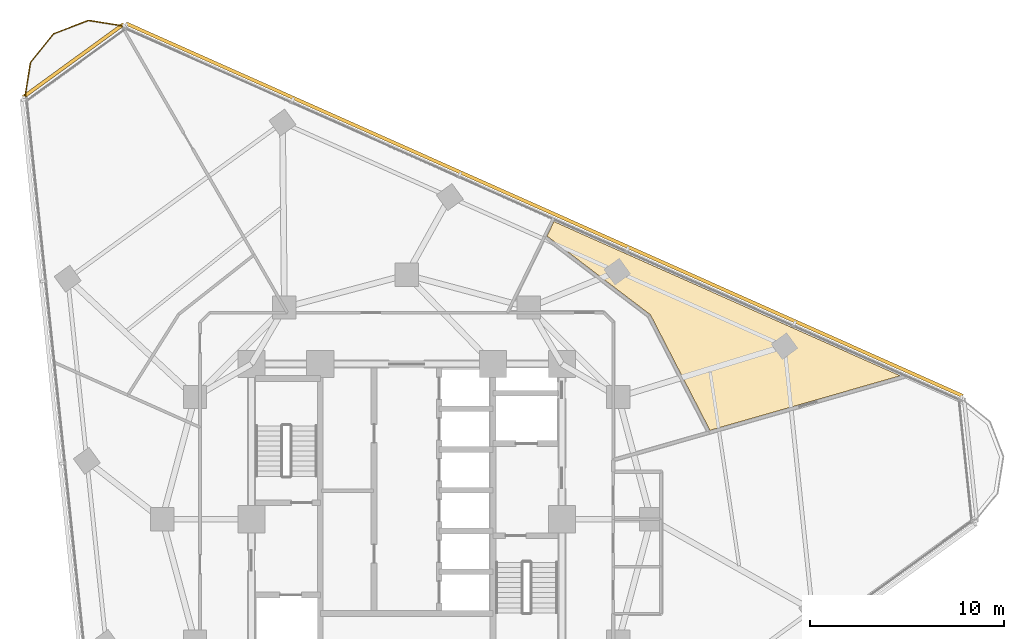
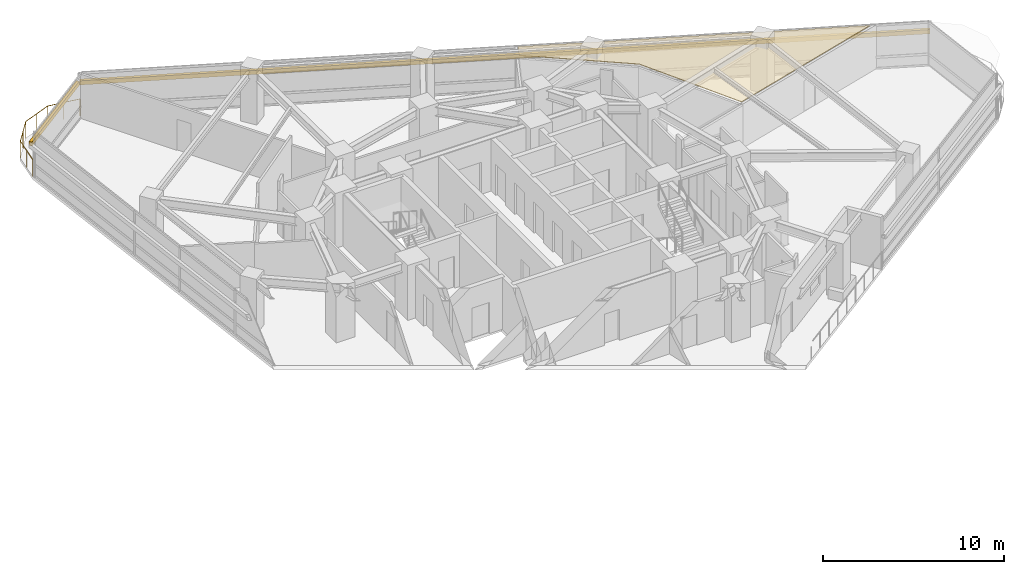
# One storey, part 14 of 14: 2 shading devices, 1 covering, 1 railing.
"""IFC4 building model written with IfcOpenShell, lengths in metres."""

import ifcopenshell
import ifcopenshell.guid

model = None  # the IFC model being written
_history = None  # IfcOwnerHistory: only IFC2X3 demands one
_inside = {}  # id of a spatial element -> (the spatial element, [elements in it])
_under = {}  # id of a project, library or spatial element -> (it, [spatial elements below it])
_declared = {}  # id of a project -> (the project, [libraries it declares])
_typed = {}  # id of a type object -> (the type object, [elements of that type])
_made_of = {}  # id of a material, layer set ... -> (it, [elements and type objects made of it])


def new_model(schema):
    """Start an empty IFC model of exactly this schema.

    Asked for "IFC4X3", IfcOpenShell would pick the latest addendum, in which some entities
    have other attributes; the version numbers below select the first issue.
    IFC2X3 requires an IfcOwnerHistory on every rooted entity: one is made here for all.
    """
    global model, _history
    if schema == "IFC4X3":
        model = ifcopenshell.file(schema_version=(4, 3, 0, 0))
    else:
        model = ifcopenshell.file(schema=schema)
    _inside.clear()
    _under.clear()
    _declared.clear()
    _typed.clear()
    _made_of.clear()
    _history = None
    if model.schema == "IFC2X3":
        org = make("IfcOrganization", Name="unknown")
        user = make(
            "IfcPersonAndOrganization",
            ThePerson=make("IfcPerson", FamilyName="unknown"),
            TheOrganization=org,
        )
        app = make(
            "IfcApplication",
            ApplicationDeveloper=org,
            Version="unknown",
            ApplicationFullName="unknown",
            ApplicationIdentifier="unknown",
        )
        _history = make(
            "IfcOwnerHistory",
            OwningUser=user,
            OwningApplication=app,
            ChangeAction="ADDED",
            CreationDate=0,
        )
    return model


def make(cls, **values):
    """One entity of the class cls with the attributes given. An attribute that is None is left unset."""
    return model.create_entity(
        cls, **{name: value for name, value in values.items() if value is not None}
    )


def rooted(cls, **values):
    """An entity with a GlobalId (a new one), such as an element, a storey or a relation."""
    return make(cls, GlobalId=ifcopenshell.guid.new(), OwnerHistory=_history, **values)


def si_unit(unit_type, name, prefix=None):
    """IfcSIUnit, for example si_unit("LENGTHUNIT", "METRE", prefix="MILLI")."""
    return make("IfcSIUnit", UnitType=unit_type, Prefix=prefix, Name=name)


def assignment(units):
    """IfcUnitAssignment: the units of a project."""
    return None if units is None else make("IfcUnitAssignment", Units=units)


def point(xyz):
    """IfcCartesianPoint."""
    return None if xyz is None else make("IfcCartesianPoint", Coordinates=xyz)


def direction(xyz):
    """IfcDirection."""
    return None if xyz is None else make("IfcDirection", DirectionRatios=xyz)


def frame(location, z_axis=None, x_axis=None):
    """IfcAxis2Placement3D, a coordinate frame: its origin and axes. An axis left out is left unset."""
    return make(
        "IfcAxis2Placement3D",
        Location=point(location),
        Axis=direction(z_axis),
        RefDirection=direction(x_axis),
    )


def frame_2d(location, x_axis=None):
    """IfcAxis2Placement2D, a coordinate frame in the plane: its origin and x axis."""
    return make(
        "IfcAxis2Placement2D", Location=point(location), RefDirection=direction(x_axis)
    )


def origin():
    """The frame at (0, 0, 0) with its axes left unset."""
    return frame((0.0, 0.0, 0.0))


def origin_2d():
    """The frame at (0, 0) in the plane with its x axis left unset."""
    return frame_2d((0.0, 0.0))


def place(relative_to, where):
    """IfcLocalPlacement: puts the frame where relative to a parent placement (None: the world)."""
    return make(
        "IfcLocalPlacement", PlacementRelTo=relative_to, RelativePlacement=where
    )


def context(
    kind, dimensions, precision=None, world=None, true_north=None, identifier=None
):
    """IfcGeometricRepresentationContext, for example the 3D "Model" context."""
    return make(
        "IfcGeometricRepresentationContext",
        ContextIdentifier=identifier,
        ContextType=kind,
        CoordinateSpaceDimension=dimensions,
        Precision=precision,
        WorldCoordinateSystem=world,
        TrueNorth=true_north,
    )


def subcontext(parent, identifier, kind, view, scale=None):
    """IfcGeometricRepresentationSubContext, for example "Body" below "Model"."""
    return make(
        "IfcGeometricRepresentationSubContext",
        ContextIdentifier=identifier,
        ContextType=kind,
        ParentContext=parent,
        TargetScale=scale,
        TargetView=view,
    )


def project(units=None, contexts=None):
    """IfcProject with its units and contexts."""
    return rooted(
        "IfcProject",
        Name="project",
        RepresentationContexts=contexts,
        UnitsInContext=assignment(units),
    )


def spatial(cls, under=None, at=None, **own):
    """A site, building, storey or space (cls), placed at a placement, below another one or the project."""
    s = rooted(cls, ObjectPlacement=at, **own)
    if under is not None:
        _under.setdefault(under.id(), (under, []))[1].append(s)
    return s


def polyline(points):
    """IfcPolyline through the points."""
    return make("IfcPolyline", Points=[point(p) for p in points])


def profile(cls, at=None, kind="AREA", **sizes):
    """A parametric profile (cls). Its sizes go by their IFC names, for example OverallWidth=200.0."""
    return make(cls, ProfileType=kind, Position=at, **sizes)


def rectangle(**sizes):
    """IfcRectangleProfileDef."""
    return profile("IfcRectangleProfileDef", **sizes)


def circle(**sizes):
    """IfcCircleProfileDef."""
    return profile("IfcCircleProfileDef", **sizes)


def outline(outer, holes=None, kind="AREA"):
    """IfcArbitraryClosedProfileDef: a profile drawn as a closed curve; with holes, ...WithVoids."""
    if holes is None:
        return make("IfcArbitraryClosedProfileDef", ProfileType=kind, OuterCurve=outer)
    return make(
        "IfcArbitraryProfileDefWithVoids",
        ProfileType=kind,
        OuterCurve=outer,
        InnerCurves=holes,
    )


def extrude(swept, where, along, depth):
    """IfcExtrudedAreaSolid: the profile swept, set in the frame where, extruded along a direction by depth."""
    return make(
        "IfcExtrudedAreaSolid",
        SweptArea=swept,
        Position=where,
        ExtrudedDirection=direction(along),
        Depth=depth,
    )


def shape(context_of_items, identifier, shape_type, items):
    """IfcShapeRepresentation: the items that make up one representation, for example the "Body"."""
    return make(
        "IfcShapeRepresentation",
        ContextOfItems=context_of_items,
        RepresentationIdentifier=identifier,
        RepresentationType=shape_type,
        Items=items,
    )


def material(Name=None, Category=None):
    """IfcMaterial."""
    return make("IfcMaterial", Name=Name, Category=Category)


def layer(
    of_material, thickness, ventilated=None, Name=None, Category=None, Priority=None
):
    """IfcMaterialLayer: one layer of a wall or slab, of a material (None: an air gap)."""
    return make(
        "IfcMaterialLayer",
        Material=of_material,
        LayerThickness=thickness,
        IsVentilated=ventilated,
        Name=Name,
        Category=Category,
        Priority=Priority,
    )


def layer_set(layers, Name=None):
    """IfcMaterialLayerSet."""
    return make("IfcMaterialLayerSet", MaterialLayers=layers, LayerSetName=Name)


def made_of(thing, what):
    """Note that an element or type object is made of a material, layer set ...; save() writes the relation."""
    if what is not None:
        _made_of.setdefault(what.id(), (what, []))[1].append(thing)
    return thing


def type_object(cls, material=None, **own):
    """A type object (cls), such as IfcWallType, which elements share."""
    return made_of(rooted(cls, **own), material)


def element(
    cls,
    number,
    at=None,
    inside=None,
    cuts=None,
    type_object=None,
    material=None,
    context=None,
    identifier="Body",
    shape_type=None,
    held_by="IfcProductDefinitionShape",
    body=None,
    shapes=None,
    **own,
):
    """One element of the class cls, such as IfcWall. Its Tag is "e" and its number.

    at: its placement. inside: the storey or other place that contains it. cuts: it is an
    opening in that element (IfcRelVoidsElement). A single representation is given by context,
    identifier, shape_type and body (its items); several are given by shapes. held_by: the class
    of the entity that holds the representations. save() writes the other relations.
    """
    e = rooted(cls, Tag="e%d" % number, ObjectPlacement=at, **own)
    if body is not None:
        shapes = [shape(context, identifier, shape_type, body)]
    if shapes is not None:
        e.Representation = make(held_by, Representations=shapes)
    if inside is not None:
        _inside.setdefault(inside.id(), (inside, []))[1].append(e)
    if cuts is not None:
        rooted(
            "IfcRelVoidsElement", RelatingBuildingElement=cuts, RelatedOpeningElement=e
        )
    if type_object is not None:
        _typed.setdefault(type_object.id(), (type_object, []))[1].append(e)
    return made_of(e, material)


def aggregate(whole, parts):
    """IfcRelAggregates: a whole, such as a stair, and the parts it consists of."""
    return rooted("IfcRelAggregates", RelatingObject=whole, RelatedObjects=parts)


def save(model, path):
    """Write the relations noted so far, then the file.

    IfcRelAggregates (storeys below a building ...), IfcRelContainedInSpatialStructure (elements
    in a storey), IfcRelDefinesByType, IfcRelAssociatesMaterial and IfcRelDeclares: one each for
    every whole, place, type object, material and project.
    """
    for whole, parts in _under.values():
        aggregate(whole, parts)
    for where, things in _inside.values():
        rooted(
            "IfcRelContainedInSpatialStructure",
            RelatedElements=things,
            RelatingStructure=where,
        )
    for kind, things in _typed.values():
        rooted("IfcRelDefinesByType", RelatedObjects=things, RelatingType=kind)
    for what, things in _made_of.values():
        rooted("IfcRelAssociatesMaterial", RelatedObjects=things, RelatingMaterial=what)
    for by, libraries in _declared.values():
        rooted("IfcRelDeclares", RelatingContext=by, RelatedDefinitions=libraries)
    model.write(path)


model = new_model("IFC4")

# Units and contexts
model_context = context("Model", 3, precision=1e-05, world=origin(), true_north=direction((0.0, 1.0)))
body_context = subcontext(model_context, "Body", "Model", "MODEL_VIEW")
ifc_project = project(units=[si_unit("LENGTHUNIT", "METRE"), si_unit("AREAUNIT", "SQUARE_METRE"), si_unit("VOLUMEUNIT", "CUBIC_METRE"), si_unit("PLANEANGLEUNIT", "RADIAN"), si_unit("MASSUNIT", "GRAM", prefix="KILO")], contexts=[model_context])

# Site, building, storey
site_placement = place(None, origin())
site = spatial("IfcSite", under=ifc_project, at=site_placement, CompositionType="ELEMENT")
building_placement = place(site_placement, origin())
building = spatial("IfcBuilding", under=site, at=building_placement, Name="Terralouvre Media Tower", CompositionType="ELEMENT")
storey_placement = place(building_placement, frame((0.0, 0.0, 158.300048828125)))
storey = spatial("IfcBuildingStorey", under=building, at=storey_placement, Name="L40", CompositionType="ELEMENT", Elevation=158.300048828125)

# Covering
ifc_material_1 = material(Name="Perforated aluminium acoustic ceiling baffle", Category="aluminium")
ifc_layer_1 = layer(ifc_material_1, 0.0400390625, Name="Perforated Acoustic Metal Tile Ceiling CL-AC1")
ifc_layer_set_1 = layer_set([ifc_layer_1], Name="Perforated aluminium acoustic ceiling baffle")
covering_type = type_object("IfcCoveringType", Name="Perforated Acoustic Metal Tile Ceiling CL-AC1", PredefinedType="CEILING", material=ifc_layer_set_1)
covering_placement = place(storey_placement, frame((0.0, 0.0, 2.97998046875), z_axis=(0.0, 0.0, 1.0), x_axis=(0.809016994375, 0.587785252292, 0.0)))
element("IfcCovering", 1, at=covering_placement, inside=storey, type_object=covering_type, Name="L40 Creative Set Workshop 6 Acoustic Ceiling", PredefinedType="CEILING", context=body_context, shape_type="SweptSolid", body=[
    extrude(outline(polyline([(16.356201171875, 1.165283203125), (16.3583984375, 1.156494140625), (16.35986328125, 1.147705078125), (16.3603515625, 1.138916015625), (16.3603515625, 1.130126953125), (16.359375, 1.12109375), (15.343505859375, -5.478271484375), (24.9287109375, -8.966796875), (15.162841796875, 7.948974609375), (14.431640625, 7.56005859375), (16.356201171875, 1.165283203125)])), origin(), (0.0, 0.0, 1.0), 0.0400390625),
])

# Railing
ifc_material_2 = material(Name="Stainless steel 316 handrail and balustrade", Category="steel")
ifc_layer_2 = layer(ifc_material_2, 0.06005859375, Name="Roof Edge Safety Guardrail GR-ROOF1")
ifc_layer_set_2 = layer_set([ifc_layer_2], Name="Stainless steel 316 handrail and balustrade")
railing_type = type_object("IfcRailingType", Name="Roof Edge Safety Guardrail GR-ROOF1", PredefinedType="GUARDRAIL", material=ifc_layer_set_2)
railing_placement = place(storey_placement, frame((-14.50537109375, 25.41357421875, 0.0)))
element("IfcRailing", 2, at=railing_placement, inside=storey, type_object=railing_type, Name="L40 Wind-Corner Perimeter Safety Guardrail C2", PredefinedType="GUARDRAIL", context=body_context, shape_type="SweptSolid", body=[
    extrude(circle(Radius=0.02099609375, at=origin_2d()), frame((0.0, 0.0, 1.12890625), z_axis=(-0.987645867018, 0.156702397439, 0.0), x_axis=(-0.156702397439, -0.987645867018, 0.0)), (0.0, 0.0, 1.0), 1.914794921875),
    extrude(circle(Radius=0.02099609375, at=origin_2d()), frame((-1.89111328125, 0.300048828125, 1.12890625), z_axis=(-0.933575508152, -0.358380762009, 0.0), x_axis=(0.358380762009, -0.933575508152, 0.0)), (0.0, 0.0, 1.0), 1.914306640625),
    extrude(circle(Radius=0.02099609375, at=origin_2d()), frame((-3.67822265625, -0.385986328125, 1.12890625), z_axis=(-0.629256927844, -0.777197348658, 0.0), x_axis=(0.777197348658, -0.629256927844, 0.0)), (0.0, 0.0, 1.0), 1.914306640625),
    extrude(circle(Radius=0.02099609375, at=origin_2d()), frame((-4.8828125, -1.873779296875, 1.12890625), z_axis=(-0.156204845685, -0.987724681369, 0.0), x_axis=(0.987724681369, -0.156204845685, 0.0)), (0.0, 0.0, 1.0), 1.91455078125),
    extrude(circle(Radius=0.01904296875, at=origin_2d()), origin(), (0.0, 0.0, 1.0), 1.10791015625),
    extrude(circle(Radius=0.01904296875, at=origin_2d()), frame((-0.945556640625, 0.14990234375, 0.0)), (0.0, 0.0, 1.0), 1.10791015625),
    extrude(circle(Radius=0.01904296875, at=origin_2d()), frame((-1.89111328125, 0.300048828125, 0.0)), (0.0, 0.0, 1.0), 1.10791015625),
    extrude(circle(Radius=0.01904296875, at=origin_2d()), frame((-2.78466796875, -0.04296875, 0.0)), (0.0, 0.0, 1.0), 1.10791015625),
    extrude(circle(Radius=0.01904296875, at=origin_2d()), frame((-3.67822265625, -0.385986328125, 0.0)), (0.0, 0.0, 1.0), 1.10791015625),
    extrude(circle(Radius=0.01904296875, at=origin_2d()), frame((-4.280517578125, -1.1298828125, 0.0)), (0.0, 0.0, 1.0), 1.10791015625),
    extrude(circle(Radius=0.01904296875, at=origin_2d()), frame((-4.8828125, -1.873779296875, 0.0)), (0.0, 0.0, 1.0), 1.10791015625),
    extrude(circle(Radius=0.01904296875, at=origin_2d()), frame((-5.0322265625, -2.8193359375, 0.0)), (0.0, 0.0, 1.0), 1.10791015625),
    extrude(circle(Radius=0.01904296875, at=origin_2d()), frame((-5.181884765625, -3.764892578125, 0.0)), (0.0, 0.0, 1.0), 1.10791015625),
])

# Shading devices
ifc_material_3 = material(Name="Extruded terracotta baguette sunshade louvres", Category="masonry")
shading_device_type = type_object("IfcShadingDeviceType", Name="Terracotta Baguette Sunshade Louvre Screen TB-LV1", PredefinedType="USERDEFINED", material=ifc_material_3)
shading_device_1_placement = place(storey_placement, frame((7.103759765625, 15.95556640625, 2.02392578125), z_axis=(0.0, 0.0, 1.0), x_axis=(-0.913545469547, 0.406736616337, 0.0)))
element("IfcShadingDevice", 3, at=shading_device_1_placement, inside=storey, type_object=shading_device_type, Name="CW-L40-F1 Terracotta Baguette Sunshade Louvre", ObjectType="BAGUETTE", PredefinedType="USERDEFINED", context=body_context, shape_type="SweptSolid", body=[
    extrude(rectangle(XDim=47.199951171875, YDim=0.179931640625, at=origin_2d()), origin(), (0.0, 0.0, 1.0), 0.280029296875),
])
shading_device_2_placement = place(storey_placement, frame((-17.175537109375, 23.64013671875, 2.02392578125), z_axis=(0.0, 0.0, 1.0), x_axis=(-0.809017438344, -0.587784641221, 0.0)))
element("IfcShadingDevice", 4, at=shading_device_2_placement, inside=storey, type_object=shading_device_type, Name="CW-L40-C2 Terracotta Baguette Sunshade Louvre", ObjectType="BAGUETTE", PredefinedType="USERDEFINED", context=body_context, shape_type="SweptSolid", body=[
    extrude(rectangle(XDim=6.40869140625, YDim=0.179931640625, at=origin_2d()), origin(), (0.0, 0.0, 1.0), 0.280029296875),
])

save(model, "model.ifc")
